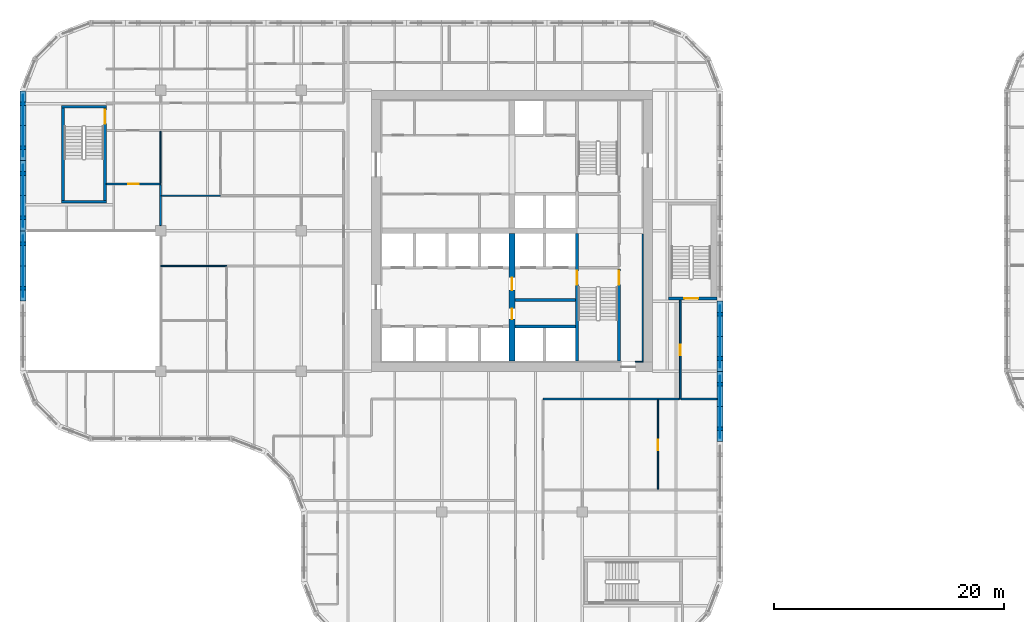
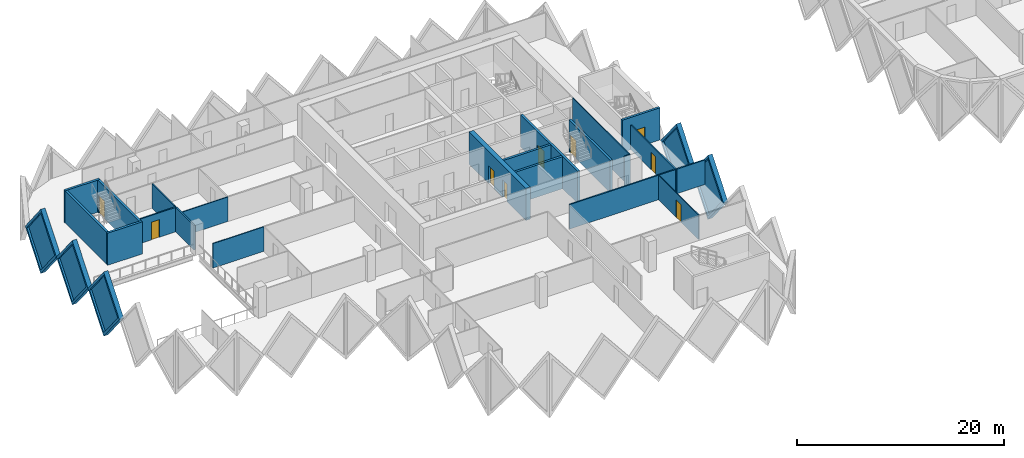
# One storey, part 7 of 21: 26 walls, 9 doors, 5 plates, 14 openings.
"""IFC4 building model written with IfcOpenShell, lengths in metres."""

from ifc_helpers import new_model, si_unit, direction, frame, frame_2d, origin, place, context, subcontext, project, spatial, polyline, rectangle, outline, extrude, faceted_brep, source, transform, mapped, material, layer, layer_set, type_object, element, fill, save


model = new_model("IFC4")

# Units and contexts
model_context = context("Model", 3, precision=1e-05, world=origin(), true_north=direction((0.0, 1.0)))
body_context = subcontext(model_context, "Body", "Model", "MODEL_VIEW")
ifc_project = project(units=[si_unit("LENGTHUNIT", "METRE"), si_unit("AREAUNIT", "SQUARE_METRE"), si_unit("VOLUMEUNIT", "CUBIC_METRE"), si_unit("PLANEANGLEUNIT", "RADIAN"), si_unit("MASSUNIT", "GRAM", prefix="KILO")], contexts=[model_context])

# Site, building, storey
site_placement = place(None, origin())
site = spatial("IfcSite", under=ifc_project, at=site_placement, CompositionType="ELEMENT")
building_placement = place(site_placement, origin())
building = spatial("IfcBuilding", under=site, at=building_placement, Name="Tessera Gate Towers", CompositionType="ELEMENT")
storey_placement = place(building_placement, frame((0.0, 0.0, 91.39990234375)))
storey = spatial("IfcBuildingStorey", under=building, at=storey_placement, Name="L22", CompositionType="ELEMENT", Elevation=91.39990234375)

# Wall, opening, door
ifc_material_1 = material(Name="Concrete C40/50", Category="concrete")
ifc_layer_1 = layer(ifc_material_1, 0.25)
ifc_layer_set_1 = layer_set([ifc_layer_1], Name="CORE ENCLOSURE WALL 250")
wall_type_1 = type_object("IfcWallType", Name="CORE ENCLOSURE WALL 250", PredefinedType="SOLIDWALL", material=ifc_layer_set_1)
wall_1_placement = place(storey_placement, frame((48.35009765625, 36.35009765625, 0.0), z_axis=(0.0, 0.0, 1.0), x_axis=(0.0, -1.0, 0.0)))
wall_1 = element("IfcWall", 1, at=wall_1_placement, inside=storey, type_object=wall_type_1, Name="L22 shaft and stair enclosure wall", PredefinedType="SOLIDWALL", context=body_context, shape_type="SweptSolid", body=[
    extrude(rectangle(XDim=11.050048828125, YDim=0.25, at=frame_2d((5.52490234375, 0.0))), origin(), (0.0, 0.0, 1.0), 3.800048828125),
])
shared_shape_1 = source(origin(), body_context, "Body", "SweptSolid", [
    extrude(rectangle(XDim=1.199951171875, YDim=2.10009765625, at=frame_2d((0.60009765625, 1.050048828125))), frame((0.0, 0.135009765625, 0.0), z_axis=(0.0, -1.0, 0.0), x_axis=(1.0, 0.0, 0.0)), (0.0, 0.0, 1.0), 0.27001953125),
])
opening_1_placement = place(wall_1_placement, frame((3.22509765625, 0.0, 0.0)))
opening_1 = element("IfcOpeningElement", 2, at=opening_1_placement, cuts=wall_1, Name="Opening SD-ST1-1", PredefinedType="OPENING", context=body_context, shape_type="MappedRepresentation", body=[
    mapped(shared_shape_1, transform((0.0, 0.0, 0.0), scale=1.0)),
])
ifc_material_2 = material(Name="Hollow steel fire door", Category="steel")
door_type_1 = type_object("IfcDoorType", Name="CORE DOOR SD 1200x2100", OperationType="NOTDEFINED", PredefinedType="DOOR", material=ifc_material_2)
shared_shape_2 = source(origin(), body_context, "Body", "SweptSolid", [
    extrude(rectangle(XDim=1.199951171875, YDim=2.10009765625, at=frame_2d((0.60009765625, 1.050048828125))), frame((0.0, 0.02490234375, 0.0), z_axis=(0.0, -1.0, 0.0), x_axis=(1.0, 0.0, 0.0)), (0.0, 0.0, 1.0), 0.050048828125),
])
door_1_placement = place(opening_1_placement, origin())
door_1 = element("IfcDoor", 3, at=door_1_placement, inside=storey, type_object=door_type_1, Name="Stair door", OperationType="SINGLE_SWING_LEFT", OverallHeight=2.10009765625, OverallWidth=1.199951171875, PredefinedType="DOOR", context=body_context, shape_type="MappedRepresentation", body=[
    mapped(shared_shape_2, transform((0.0, 0.0, 0.0), scale=1.0)),
])
fill(opening_1, door_1)

# Wall
wall_2_placement = place(storey_placement, frame((42.949951171875, 28.300048828125, 0.0), z_axis=(0.0, 0.0, 1.0), x_axis=(1.0, 0.0, 0.0)))
element("IfcWall", 4, at=wall_2_placement, inside=storey, type_object=wall_type_1, Name="L22 shaft and stair enclosure wall", PredefinedType="SOLIDWALL", context=body_context, shape_type="SweptSolid", body=[
    extrude(rectangle(XDim=5.275146484375, YDim=0.25, at=frame_2d((2.6376953125, 0.0))), origin(), (0.0, 0.0, 1.0), 3.800048828125),
])

# Wall, opening, door
wall_3_placement = place(storey_placement, frame((52.0, 25.300048828125, 0.0), z_axis=(0.0, 0.0, 1.0), x_axis=(0.0, 1.0, 0.0)))
wall_3 = element("IfcWall", 5, at=wall_3_placement, inside=storey, type_object=wall_type_1, Name="L22 shaft and stair enclosure wall", PredefinedType="SOLIDWALL", context=body_context, shape_type="SweptSolid", body=[
    extrude(rectangle(XDim=7.974853515625, YDim=0.25, at=frame_2d((3.9873046875, 0.0))), origin(), (0.0, 0.0, 1.0), 3.800048828125),
])
opening_2_placement = place(wall_3_placement, frame((6.625, 0.0, 0.0)))
opening_2 = element("IfcOpeningElement", 6, at=opening_2_placement, cuts=wall_3, Name="Opening SD-ST1-2", PredefinedType="OPENING", context=body_context, shape_type="MappedRepresentation", body=[
    mapped(shared_shape_1, transform((0.0, 0.0, 0.0), scale=1.0)),
])
door_2_placement = place(opening_2_placement, origin())
door_2 = element("IfcDoor", 7, at=door_2_placement, inside=storey, type_object=door_type_1, Name="Stair door", OperationType="SINGLE_SWING_RIGHT", OverallHeight=2.10009765625, OverallWidth=1.199951171875, PredefinedType="DOOR", context=body_context, shape_type="MappedRepresentation", body=[
    mapped(shared_shape_2, transform((0.0, 0.0, 0.0), scale=1.0)),
])
fill(opening_2, door_2)

# Walls
wall_4_placement = place(storey_placement, frame((42.949951171875, 30.60009765625, 0.0), z_axis=(0.0, 0.0, 1.0), x_axis=(1.0, 0.0, 0.0)))
element("IfcWall", 8, at=wall_4_placement, inside=storey, type_object=wall_type_1, Name="L22 shaft and stair enclosure wall", PredefinedType="SOLIDWALL", context=body_context, shape_type="SweptSolid", body=[
    extrude(rectangle(XDim=5.275146484375, YDim=0.25, at=frame_2d((2.6376953125, 0.0))), origin(), (0.0, 0.0, 1.0), 3.800048828125),
])
wall_5_placement = place(storey_placement, frame((7.5, 39.125, 0.0), z_axis=(0.0, 0.0, 1.0), x_axis=(-1.0, 0.0, 0.0)))
element("IfcWall", 9, at=wall_5_placement, inside=storey, type_object=wall_type_1, Name="L22 ST3 enclosure wall", PredefinedType="SOLIDWALL", context=body_context, shape_type="SweptSolid", body=[
    extrude(rectangle(XDim=3.89990234375, YDim=0.25, at=frame_2d((1.949951171875, 0.0))), origin(), (0.0, 0.0, 1.0), 3.800048828125),
])
wall_6_placement = place(storey_placement, frame((3.72509765625, 39.25, 0.0), z_axis=(0.0, 0.0, 1.0), x_axis=(0.0, 1.0, 0.0)))
element("IfcWall", 10, at=wall_6_placement, inside=storey, type_object=wall_type_1, Name="L22 ST3 enclosure wall", PredefinedType="SOLIDWALL", context=body_context, shape_type="SweptSolid", body=[
    extrude(rectangle(XDim=8.0, YDim=0.25, at=frame_2d((4.0, 0.0))), origin(), (0.0, 0.0, 1.0), 3.800048828125),
])
wall_7_placement = place(storey_placement, frame((3.60009765625, 47.375, 0.0), z_axis=(0.0, 0.0, 1.0), x_axis=(1.0, 0.0, 0.0)))
element("IfcWall", 11, at=wall_7_placement, inside=storey, type_object=wall_type_1, Name="L22 ST3 enclosure wall", PredefinedType="SOLIDWALL", context=body_context, shape_type="SweptSolid", body=[
    extrude(rectangle(XDim=3.89990234375, YDim=0.25, at=frame_2d((1.949951171875, 0.0))), origin(), (0.0, 0.0, 1.0), 3.800048828125),
])

# Wall, opening, door
wall_8_placement = place(storey_placement, frame((7.375, 47.25, 0.0), z_axis=(0.0, 0.0, 1.0), x_axis=(0.0, -1.0, 0.0)))
wall_8 = element("IfcWall", 12, at=wall_8_placement, inside=storey, type_object=wall_type_1, Name="L22 ST3 enclosure wall", PredefinedType="SOLIDWALL", context=body_context, shape_type="SweptSolid", body=[
    extrude(rectangle(XDim=8.0, YDim=0.25, at=frame_2d((4.0, 0.0))), origin(), (0.0, 0.0, 1.0), 3.800048828125),
])
opening_3_placement = place(wall_8_placement, frame((0.14990234375, 0.0, 0.0)))
opening_3 = element("IfcOpeningElement", 13, at=opening_3_placement, cuts=wall_8, Name="Opening SD-ST3-1", PredefinedType="OPENING", context=body_context, shape_type="MappedRepresentation", body=[
    mapped(shared_shape_1, transform((0.0, 0.0, 0.0), scale=1.0)),
])
door_3_placement = place(opening_3_placement, origin())
door_3 = element("IfcDoor", 14, at=door_3_placement, inside=storey, type_object=door_type_1, Name="Stair door", OperationType="SINGLE_SWING_LEFT", OverallHeight=2.10009765625, OverallWidth=1.199951171875, PredefinedType="DOOR", context=body_context, shape_type="MappedRepresentation", body=[
    mapped(shared_shape_2, transform((0.0, 0.0, 0.0), scale=1.0)),
])
fill(opening_3, door_3)

wall_9_placement = place(storey_placement, frame((60.5, 30.72509765625, 0.0), z_axis=(0.0, 0.0, 1.0), x_axis=(-1.0, 0.0, 0.0)))
wall_9 = element("IfcWall", 15, at=wall_9_placement, inside=storey, type_object=wall_type_1, Name="L22 ST5 enclosure wall", PredefinedType="SOLIDWALL", context=body_context, shape_type="SweptSolid", body=[
    extrude(rectangle(XDim=4.199951171875, YDim=0.25, at=frame_2d((2.10009765625, 0.0))), origin(), (0.0, 0.0, 1.0), 3.800048828125),
])
opening_4_placement = place(wall_9_placement, frame((1.64990234375, 0.0, 0.0)))
opening_4 = element("IfcOpeningElement", 16, at=opening_4_placement, cuts=wall_9, Name="Opening SD-ST5-1", PredefinedType="OPENING", context=body_context, shape_type="MappedRepresentation", body=[
    mapped(shared_shape_1, transform((0.0, 0.0, 0.0), scale=1.0)),
])
door_4_placement = place(opening_4_placement, origin())
door_4 = element("IfcDoor", 17, at=door_4_placement, inside=storey, type_object=door_type_1, Name="Stair door", OperationType="SINGLE_SWING_RIGHT", OverallHeight=2.10009765625, OverallWidth=1.199951171875, PredefinedType="DOOR", context=body_context, shape_type="MappedRepresentation", body=[
    mapped(shared_shape_2, transform((0.0, 0.0, 0.0), scale=1.0)),
])
fill(opening_4, door_4)

# Wall, openings, doors
ifc_material_3 = material(Name="Concrete C60/75", Category="concrete")
ifc_layer_2 = layer(ifc_material_3, 0.5)
ifc_layer_set_2 = layer_set([ifc_layer_2], Name="CORE SPINE WALL 500 C60/75")
wall_type_2 = type_object("IfcWallType", Name="CORE SPINE WALL 500 C60/75", PredefinedType="SHEAR", material=ifc_layer_set_2)
wall_10_placement = place(storey_placement, frame((42.699951171875, 36.35009765625, 0.0), z_axis=(0.0, 0.0, 1.0), x_axis=(0.0, -1.0, 0.0)))
wall_10 = element("IfcWall", 18, at=wall_10_placement, inside=storey, type_object=wall_type_2, Name="Core wall spine L22", PredefinedType="SHEAR", context=body_context, shape_type="SweptSolid", body=[
    extrude(rectangle(XDim=11.050048828125, YDim=0.5, at=frame_2d((5.52490234375, 0.0))), origin(), (0.0, 0.0, 1.0), 3.800048828125),
])
shared_shape_3 = source(origin(), body_context, "Body", "SweptSolid", [
    extrude(rectangle(XDim=0.89990234375, YDim=2.10009765625, at=frame_2d((0.449951171875, 1.050048828125))), frame((0.0, 0.260009765625, 0.0), z_axis=(0.0, -1.0, 0.0), x_axis=(1.0, 0.0, 0.0)), (0.0, 0.0, 1.0), 0.52001953125),
])
opening_5_placement = place(wall_10_placement, frame((6.5, 0.0, 0.0)))
opening_5 = element("IfcOpeningElement", 19, at=opening_5_placement, cuts=wall_10, Name="Opening RD-T1-15-05", PredefinedType="OPENING", context=body_context, shape_type="MappedRepresentation", body=[
    mapped(shared_shape_3, transform((0.0, 0.0, 0.0), scale=1.0)),
])
shared_shape_4 = source(origin(), body_context, "Body", "SweptSolid", [
    extrude(rectangle(XDim=1.10009765625, YDim=2.10009765625, at=frame_2d((0.550048828125, 1.050048828125))), frame((0.0, 0.260009765625, 0.0), z_axis=(0.0, -1.0, 0.0), x_axis=(1.0, 0.0, 0.0)), (0.0, 0.0, 1.0), 0.52001953125),
])
opening_6_placement = place(wall_10_placement, frame((3.800048828125, 0.0, 0.0)))
opening_6 = element("IfcOpeningElement", 20, at=opening_6_placement, cuts=wall_10, Name="Opening FD-T1-15-06", PredefinedType="OPENING", context=body_context, shape_type="MappedRepresentation", body=[
    mapped(shared_shape_4, transform((0.0, 0.0, 0.0), scale=1.0)),
])
ifc_material_4 = material(Name="Hollow steel fire door", Category="steel")
door_type_2 = type_object("IfcDoorType", Name="CORE DOOR RD 900x2100", OperationType="NOTDEFINED", PredefinedType="DOOR", material=ifc_material_4)
shared_shape_5 = source(origin(), body_context, "Body", "SweptSolid", [
    extrude(rectangle(XDim=0.89990234375, YDim=2.10009765625, at=frame_2d((0.449951171875, 1.050048828125))), frame((0.0, 0.02490234375, 0.0), z_axis=(0.0, -1.0, 0.0), x_axis=(1.0, 0.0, 0.0)), (0.0, 0.0, 1.0), 0.050048828125),
])
door_5_placement = place(opening_5_placement, origin())
door_5 = element("IfcDoor", 21, at=door_5_placement, inside=storey, type_object=door_type_2, Name="Core room door", OperationType="SINGLE_SWING_RIGHT", OverallHeight=2.10009765625, OverallWidth=0.89990234375, PredefinedType="DOOR", context=body_context, shape_type="MappedRepresentation", body=[
    mapped(shared_shape_5, transform((0.0, 0.0, 0.0), scale=1.0)),
])
fill(opening_5, door_5)
ifc_material_5 = material(Name="Hollow steel fire door", Category="steel")
door_type_3 = type_object("IfcDoorType", Name="CORE DOOR FD 1100x2100", OperationType="NOTDEFINED", PredefinedType="DOOR", material=ifc_material_5)
shared_shape_6 = source(origin(), body_context, "Body", "SweptSolid", [
    extrude(rectangle(XDim=1.10009765625, YDim=2.10009765625, at=frame_2d((0.550048828125, 1.050048828125))), frame((0.0, 0.02490234375, 0.0), z_axis=(0.0, -1.0, 0.0), x_axis=(1.0, 0.0, 0.0)), (0.0, 0.0, 1.0), 0.050048828125),
])
door_6_placement = place(opening_6_placement, origin())
door_6 = element("IfcDoor", 22, at=door_6_placement, inside=storey, type_object=door_type_3, Name="Fire-fighting lobby door", OperationType="SINGLE_SWING_LEFT", OverallHeight=2.10009765625, OverallWidth=1.10009765625, PredefinedType="DOOR", context=body_context, shape_type="MappedRepresentation", body=[
    mapped(shared_shape_6, transform((0.0, 0.0, 0.0), scale=1.0)),
])
fill(opening_6, door_6)

# Walls
ifc_material_6 = material(Name="Concrete C60/75", Category="concrete")
ifc_layer_3 = layer(ifc_material_6, 0.10009765625)
ifc_layer_set_3 = layer_set([ifc_layer_3], Name="CORE WALL THICKENING 100")
wall_type_3 = type_object("IfcWallType", Name="CORE WALL THICKENING 100", PredefinedType="SOLIDWALL", material=ifc_layer_set_3)
wall_11_placement = place(storey_placement, frame((53.39990234375, 25.25, 0.0), z_axis=(0.0, 0.0, 1.0), x_axis=(1.0, 0.0, 0.0)))
element("IfcWall", 23, at=wall_11_placement, inside=storey, type_object=wall_type_3, Name="Core wall thickening S L22", PredefinedType="SOLIDWALL", context=body_context, shape_type="SweptSolid", body=[
    extrude(rectangle(XDim=0.7001953125, YDim=0.10009765625, at=frame_2d((0.35009765625, 0.0))), origin(), (0.0, 0.0, 1.0), 3.800048828125),
])
wall_12_placement = place(storey_placement, frame((54.050048828125, 25.300048828125, 0.0), z_axis=(0.0, 0.0, 1.0), x_axis=(0.0, 1.0, 0.0)))
element("IfcWall", 24, at=wall_12_placement, inside=storey, type_object=wall_type_3, Name="Core wall thickening E L22", PredefinedType="SOLIDWALL", context=body_context, shape_type="SweptSolid", body=[
    extrude(rectangle(XDim=11.02001953125, YDim=0.10009765625, at=frame_2d((5.510009765625, 0.0))), origin(), (0.0, 0.0, 1.0), 3.800048828125),
])
ifc_material_7 = material(Name="Gypsum board on steel studs, mineral wool", Category="steel")
ifc_layer_4 = layer(ifc_material_7, 0.14990234375)
ifc_layer_set_4 = layer_set([ifc_layer_4], Name="CORRIDOR WALL 150")
wall_type_4 = type_object("IfcWallType", Name="CORRIDOR WALL 150", PredefinedType="PARTITIONING", material=ifc_layer_set_4)
wall_13_placement = place(storey_placement, frame((45.39990234375, 22.0, 0.0), z_axis=(0.0, 0.0, 1.0), x_axis=(1.0, 0.0, 0.0)))
element("IfcWall", 25, at=wall_13_placement, inside=storey, type_object=wall_type_4, Name="T1-L22-PW-023", PredefinedType="PARTITIONING", context=body_context, shape_type="SweptSolid", body=[
    extrude(rectangle(XDim=11.82421875, YDim=0.14990234375, at=frame_2d((5.912109375, 0.0))), origin(), (0.0, 0.0, 1.0), 2.89501953125),
])

# Wall, opening, door
wall_14_placement = place(storey_placement, frame((57.300048828125, 30.60009765625, 0.0), z_axis=(0.0, 0.0, 1.0), x_axis=(0.0, -1.0, 0.0)))
wall_14 = element("IfcWall", 26, at=wall_14_placement, inside=storey, type_object=wall_type_4, Name="T1-L22-PW-024", PredefinedType="PARTITIONING", context=body_context, shape_type="SweptSolid", body=[
    extrude(rectangle(XDim=8.60009765625, YDim=0.14990234375, at=frame_2d((4.300048828125, 0.0))), origin(), (0.0, 0.0, 1.0), 2.89501953125),
])
shared_shape_7 = source(origin(), body_context, "Body", "SweptSolid", [
    extrude(rectangle(XDim=0.89990234375, YDim=2.10009765625, at=frame_2d((0.449951171875, 1.050048828125))), frame((0.0, 0.0849609375, 0.0), z_axis=(0.0, -1.0, 0.0), x_axis=(1.0, 0.0, 0.0)), (0.0, 0.0, 1.0), 0.169921875),
])
opening_7_placement = place(wall_14_placement, frame((3.89990234375, 0.0, 0.0)))
opening_7 = element("IfcOpeningElement", 27, at=opening_7_placement, cuts=wall_14, Name="Opening D890FD60-A08-06", PredefinedType="OPENING", context=body_context, shape_type="MappedRepresentation", body=[
    mapped(shared_shape_7, transform((0.0, 0.0, 0.0), scale=1.0)),
])
ifc_material_8 = material(Name="Timber door leaf in steel frame", Category="steel")
door_type_4 = type_object("IfcDoorType", Name="CORRIDOR DOOR 900 FD60", OperationType="NOTDEFINED", PredefinedType="DOOR", material=ifc_material_8)
door_7_placement = place(opening_7_placement, origin())
door_7 = element("IfcDoor", 28, at=door_7_placement, inside=storey, type_object=door_type_4, Name="T1-L22-PD-021", OperationType="SINGLE_SWING_RIGHT", OverallHeight=2.10009765625, OverallWidth=0.89990234375, PredefinedType="DOOR", context=body_context, shape_type="MappedRepresentation", body=[
    mapped(shared_shape_5, transform((0.0, 0.0, 0.0), scale=1.0)),
])
fill(opening_7, door_7)

ifc_material_9 = material(Name="Glass", Category="glass")
ifc_layer_5 = layer(ifc_material_9, 0.10009765625)
ifc_layer_set_5 = layer_set([ifc_layer_5], Name="GLAZED PARTITION 100")
wall_type_5 = type_object("IfcWallType", Name="GLAZED PARTITION 100", PredefinedType="PARTITIONING", material=ifc_layer_set_5)
wall_15_placement = place(storey_placement, frame((55.364990234375, 21.924072265625, 0.0), z_axis=(0.0, 0.0, 1.0), x_axis=(0.0, -1.0, 0.0)))
wall_15 = element("IfcWall", 29, at=wall_15_placement, inside=storey, type_object=wall_type_5, Name="T1-L22-PW-014", PredefinedType="PARTITIONING", context=body_context, shape_type="SweptSolid", body=[
    extrude(rectangle(XDim=7.748046875, YDim=0.10009765625, at=frame_2d((3.8740234375, 0.0))), origin(), (0.0, 0.0, 1.0), 2.89501953125),
])
shared_shape_8 = source(origin(), body_context, "Body", "SweptSolid", [
    extrude(rectangle(XDim=0.89990234375, YDim=2.10009765625, at=frame_2d((0.449951171875, 1.050048828125))), frame((0.0, 0.06005859375, 0.0), z_axis=(0.0, -1.0, 0.0), x_axis=(1.0, 0.0, 0.0)), (0.0, 0.0, 1.0), 0.1201171875),
])
opening_8_placement = place(wall_15_placement, frame((3.447998046875, 0.0, 0.0)))
opening_8 = element("IfcOpeningElement", 30, at=opening_8_placement, cuts=wall_15, Name="Opening D690-A08-10", PredefinedType="OPENING", context=body_context, shape_type="MappedRepresentation", body=[
    mapped(shared_shape_8, transform((0.0, 0.0, 0.0), scale=1.0)),
])
ifc_material_10 = material(Name="Glass in aluminium frame", Category="aluminium")
door_type_5 = type_object("IfcDoorType", Name="GLAZED DOOR 900 NOT RATED", OperationType="NOTDEFINED", PredefinedType="DOOR", material=ifc_material_10)
door_8_placement = place(opening_8_placement, origin())
door_8 = element("IfcDoor", 31, at=door_8_placement, inside=storey, type_object=door_type_5, Name="T1-L22-PD-018", OperationType="SINGLE_SWING_RIGHT", OverallHeight=2.10009765625, OverallWidth=0.89990234375, PredefinedType="DOOR", context=body_context, shape_type="MappedRepresentation", body=[
    mapped(shared_shape_5, transform((0.0, 0.0, 0.0), scale=1.0)),
])
fill(opening_8, door_8)

# Walls
wall_16_placement = place(storey_placement, frame((12.199951171875, 33.550048828125, 0.0), z_axis=(0.0, 0.0, 1.0), x_axis=(1.0, 0.0, 0.0)))
element("IfcWall", 32, at=wall_16_placement, inside=storey, type_object=wall_type_5, Name="T1-L22-PW-032", PredefinedType="PARTITIONING", context=body_context, shape_type="SweptSolid", body=[
    extrude(rectangle(XDim=5.72412109375, YDim=0.10009765625, at=frame_2d((2.862060546875, 0.0))), origin(), (0.0, 0.0, 1.0), 2.89501953125),
])
wall_17_placement = place(storey_placement, frame((12.27587890625, 39.64990234375, 0.0), z_axis=(0.0, 0.0, 1.0), x_axis=(1.0, 0.0, 0.0)))
element("IfcWall", 33, at=wall_17_placement, inside=storey, type_object=wall_type_5, Name="T1-L22-PW-036", PredefinedType="PARTITIONING", context=body_context, shape_type="SweptSolid", body=[
    extrude(rectangle(XDim=5.123046875, YDim=0.10009765625, at=frame_2d((2.5615234375, 0.0))), origin(), (0.0, 0.0, 1.0), 2.89501953125),
])
wall_18_placement = place(storey_placement, frame((12.199951171875, 40.7509765625, 0.0), z_axis=(0.0, 0.0, 1.0), x_axis=(0.0, 1.0, 0.0)))
element("IfcWall", 34, at=wall_18_placement, inside=storey, type_object=wall_type_5, Name="T1-L22-PW-040", PredefinedType="PARTITIONING", context=body_context, shape_type="SweptSolid", body=[
    extrude(rectangle(XDim=4.47314453125, YDim=0.10009765625, at=frame_2d((2.236572265625, 0.0))), origin(), (0.0, 0.0, 1.0), 2.89501953125),
])
ifc_material_11 = material(Name="Gypsum board on steel studs, mineral wool", Category="steel")
ifc_layer_6 = layer(ifc_material_11, 0.14990234375)
ifc_layer_set_6 = layer_set([ifc_layer_6], Name="TENANCY WALL 150")
wall_type_6 = type_object("IfcWallType", Name="TENANCY WALL 150", PredefinedType="PARTITIONING", material=ifc_layer_set_6)
wall_19_placement = place(storey_placement, frame((57.3759765625, 22.0, 0.0), z_axis=(0.0, 0.0, 1.0), x_axis=(1.0, 0.0, 0.0)))
element("IfcWall", 35, at=wall_19_placement, inside=storey, type_object=wall_type_6, Name="T1-L22-PW-025", PredefinedType="PARTITIONING", context=body_context, shape_type="SweptSolid", body=[
    extrude(rectangle(XDim=3.1240234375, YDim=0.14990234375, at=frame_2d((1.56201171875, 0.0))), origin(), (0.0, 0.0, 1.0), 2.89501953125),
])
wall_20_placement = place(storey_placement, frame((12.199951171875, 37.051025390625, 0.0), z_axis=(0.0, 0.0, 1.0), x_axis=(0.0, 1.0, 0.0)))
element("IfcWall", 36, at=wall_20_placement, inside=storey, type_object=wall_type_6, Name="T1-L22-PW-034", PredefinedType="PARTITIONING", context=body_context, shape_type="SweptSolid", body=[
    extrude(rectangle(XDim=3.548095703125, YDim=0.14990234375, at=frame_2d((1.77392578125, 0.0))), origin(), (0.0, 0.0, 1.0), 2.89501953125),
])

# Wall, opening, door
wall_21_placement = place(storey_placement, frame((12.199951171875, 40.675048828125, 0.0), z_axis=(0.0, 0.0, 1.0), x_axis=(-1.0, 0.0, 0.0)))
wall_21 = element("IfcWall", 37, at=wall_21_placement, inside=storey, type_object=wall_type_6, Name="T1-L22-PW-039", PredefinedType="PARTITIONING", context=body_context, shape_type="SweptSolid", body=[
    extrude(rectangle(XDim=4.699951171875, YDim=0.14990234375, at=frame_2d((2.35009765625, 0.0))), origin(), (0.0, 0.0, 1.0), 2.89501953125),
])
opening_9_placement = place(wall_21_placement, frame((1.89990234375, 0.0, 0.0)))
opening_9 = element("IfcOpeningElement", 38, at=opening_9_placement, cuts=wall_21, Name="Opening D190-A08-03", PredefinedType="OPENING", context=body_context, shape_type="MappedRepresentation", body=[
    mapped(shared_shape_7, transform((0.0, 0.0, 0.0), scale=1.0)),
])
ifc_material_12 = material(Name="Timber door leaf in steel frame", Category="steel")
door_type_6 = type_object("IfcDoorType", Name="INTERNAL DOOR 900 NOT RATED", OperationType="NOTDEFINED", PredefinedType="DOOR", material=ifc_material_12)
door_9_placement = place(opening_9_placement, origin())
door_9 = element("IfcDoor", 39, at=door_9_placement, inside=storey, type_object=door_type_6, Name="T1-L22-PD-008", OperationType="SINGLE_SWING_RIGHT", OverallHeight=2.10009765625, OverallWidth=0.89990234375, PredefinedType="DOOR", context=body_context, shape_type="MappedRepresentation", body=[
    mapped(shared_shape_5, transform((0.0, 0.0, 0.0), scale=1.0)),
])
fill(opening_9, door_9)

# Wall, opening, plate
ifc_material_13 = material(Name="Precast concrete C60/75 white", Category="concrete")
ifc_layer_7 = layer(ifc_material_13, 0.5)
ifc_layer_set_7 = layer_set([ifc_layer_7], Name="TS1 tessera")
wall_type_7 = type_object("IfcWallType", Name="TS1 tessera", PredefinedType="SOLIDWALL", material=ifc_layer_set_7)
shared_shape_9 = source(origin(), body_context, "Body", "Brep", [
    faceted_brep([(3.050048828125, -0.25, 0.0), (6.099853515625, -0.25, 3.799560546875), (6.099853515625, -0.25, 3.800048828125), (3.050048828125, -0.25, 7.599853515625), (0.0, -0.25, 3.7998046875), (0.0, 0.25, 3.7998046875), (3.050048828125, 0.25, 7.599853515625), (6.099853515625, 0.25, 3.800048828125), (6.099853515625, 0.25, 3.799560546875), (3.050048828125, 0.25, 0.0)], [[[0, 1, 2, 3, 4]], [[5, 6, 7, 8, 9]], [[9, 8, 1, 0]], [[7, 6, 3, 2]], [[6, 5, 4, 3]], [[5, 9, 0, 4]], [[1, 8, 7, 2]]]),
])
wall_22_placement = place(storey_placement, frame((60.75, 18.300048828125, -3.7998046875), z_axis=(0.0, 0.0, 1.0), x_axis=(0.0, 1.0, 0.0)))
wall_22 = element("IfcWall", 40, at=wall_22_placement, inside=storey, type_object=wall_type_7, Name="Precast tessera T1 TS1-0350", PredefinedType="SOLIDWALL", context=body_context, shape_type="MappedRepresentation", body=[
    mapped(shared_shape_9, transform((0.0, 0.0, 0.0), scale=1.0)),
])
shared_shape_10 = source(origin(), body_context, "Body", "SweptSolid", [
    extrude(outline(polyline([(3.050048828125, 0.3994140625), (5.779541015625, 3.7998046875), (3.050048828125, 7.200439453125), (0.320556640625, 3.7998046875), (3.050048828125, 0.3994140625)])), frame((0.0, 0.260009765625, 0.0), z_axis=(0.0, -1.0, 0.0), x_axis=(1.0, 0.0, 0.0)), (0.0, 0.0, 1.0), 0.52001953125),
])
opening_10_placement = place(wall_22_placement, origin())
opening_10 = element("IfcOpeningElement", 41, at=opening_10_placement, cuts=wall_22, Name="Opening T1-PL2-0716", PredefinedType="OPENING", context=body_context, shape_type="MappedRepresentation", body=[
    mapped(shared_shape_10, transform((0.0, 0.0, 0.0), scale=1.0)),
])
ifc_material_14 = material(Name="Low-e laminated glass", Category="glass")
ifc_layer_8 = layer(ifc_material_14, 0.06005859375)
ifc_layer_set_8 = layer_set([ifc_layer_8], Name="PL2 rhombic pane")
plate_type = type_object("IfcPlateType", Name="PL2 rhombic pane", PredefinedType="SHEET", material=ifc_layer_set_8)
shared_shape_11 = source(origin(), body_context, "Body", "SweptSolid", [
    extrude(outline(polyline([(3.050048828125, 0.3994140625), (5.779541015625, 3.7998046875), (3.050048828125, 7.200439453125), (0.320556640625, 3.7998046875), (3.050048828125, 0.3994140625)])), frame((0.0, 0.030029296875, 0.0), z_axis=(0.0, -1.0, 0.0), x_axis=(1.0, 0.0, 0.0)), (0.0, 0.0, 1.0), 0.06005859375),
])
plate_1_placement = place(opening_10_placement, origin())
plate_1 = element("IfcPlate", 42, at=plate_1_placement, inside=storey, type_object=plate_type, Name="Glass pane T1 PL2-0716", PredefinedType="SHEET", context=body_context, shape_type="MappedRepresentation", body=[
    mapped(shared_shape_11, transform((0.0, 0.0, 0.0), scale=1.0)),
])
fill(opening_10, plate_1)

wall_23_placement = place(storey_placement, frame((0.25, 42.699951171875, -3.7998046875), z_axis=(0.0, 0.0, 1.0), x_axis=(0.0, -1.0, 0.0)))
wall_23 = element("IfcWall", 43, at=wall_23_placement, inside=storey, type_object=wall_type_7, Name="Precast tessera T1 TS1-0363", PredefinedType="SOLIDWALL", context=body_context, shape_type="MappedRepresentation", body=[
    mapped(shared_shape_9, transform((0.0, 0.0, 0.0), scale=1.0)),
])
opening_11_placement = place(wall_23_placement, origin())
opening_11 = element("IfcOpeningElement", 44, at=opening_11_placement, cuts=wall_23, Name="Opening T1-PL2-0737", PredefinedType="OPENING", context=body_context, shape_type="MappedRepresentation", body=[
    mapped(shared_shape_10, transform((0.0, 0.0, 0.0), scale=1.0)),
])
plate_2_placement = place(opening_11_placement, origin())
plate_2 = element("IfcPlate", 45, at=plate_2_placement, inside=storey, type_object=plate_type, Name="Glass pane T1 PL2-0737", PredefinedType="SHEET", context=body_context, shape_type="MappedRepresentation", body=[
    mapped(shared_shape_11, transform((0.0, 0.0, 0.0), scale=1.0)),
])
fill(opening_11, plate_2)

shared_shape_12 = source(origin(), body_context, "Body", "SweptSolid", [
    extrude(outline(polyline([(3.050048828125, 0.0), (6.10009765625, 3.7998046875), (3.050048828125, 7.599853515625), (0.0, 3.7998046875), (3.050048828125, 0.0)])), frame((0.0, 0.25, 0.0), z_axis=(0.0, -1.0, 0.0), x_axis=(1.0, 0.0, 0.0)), (0.0, 0.0, 1.0), 0.5),
])
wall_24_placement = place(storey_placement, frame((60.75, 24.39990234375, -3.7998046875), z_axis=(0.0, 0.0, 1.0), x_axis=(0.0, 1.0, 0.0)))
wall_24 = element("IfcWall", 46, at=wall_24_placement, inside=storey, type_object=wall_type_7, Name="Precast tessera T1 TS1-0351", PredefinedType="SOLIDWALL", context=body_context, shape_type="MappedRepresentation", body=[
    mapped(shared_shape_12, transform((0.0, 0.0, 0.0), scale=1.0)),
])
opening_12_placement = place(wall_24_placement, origin())
opening_12 = element("IfcOpeningElement", 47, at=opening_12_placement, cuts=wall_24, Name="Opening T1-PL2-0717", PredefinedType="OPENING", context=body_context, shape_type="MappedRepresentation", body=[
    mapped(shared_shape_10, transform((0.0, 0.0, 0.0), scale=1.0)),
])
plate_3_placement = place(opening_12_placement, origin())
plate_3 = element("IfcPlate", 48, at=plate_3_placement, inside=storey, type_object=plate_type, Name="Glass pane T1 PL2-0717", PredefinedType="SHEET", context=body_context, shape_type="MappedRepresentation", body=[
    mapped(shared_shape_11, transform((0.0, 0.0, 0.0), scale=1.0)),
])
fill(opening_12, plate_3)

wall_25_placement = place(storey_placement, frame((0.25, 36.60009765625, -3.7998046875), z_axis=(0.0, 0.0, 1.0), x_axis=(0.0, -1.0, 0.0)))
wall_25 = element("IfcWall", 49, at=wall_25_placement, inside=storey, type_object=wall_type_7, Name="Precast tessera T1 TS1-0364", PredefinedType="SOLIDWALL", context=body_context, shape_type="MappedRepresentation", body=[
    mapped(shared_shape_12, transform((0.0, 0.0, 0.0), scale=1.0)),
])
opening_13_placement = place(wall_25_placement, origin())
opening_13 = element("IfcOpeningElement", 50, at=opening_13_placement, cuts=wall_25, Name="Opening T1-PL2-0738", PredefinedType="OPENING", context=body_context, shape_type="MappedRepresentation", body=[
    mapped(shared_shape_10, transform((0.0, 0.0, 0.0), scale=1.0)),
])
plate_4_placement = place(opening_13_placement, origin())
plate_4 = element("IfcPlate", 51, at=plate_4_placement, inside=storey, type_object=plate_type, Name="Glass pane T1 PL2-0738", PredefinedType="SHEET", context=body_context, shape_type="MappedRepresentation", body=[
    mapped(shared_shape_11, transform((0.0, 0.0, 0.0), scale=1.0)),
])
fill(opening_13, plate_4)

shared_shape_13 = source(origin(), body_context, "Body", "Brep", [
    faceted_brep([(3.00341796875, -0.25, 0.0), (6.053466796875, -0.25, 3.7998046875), (3.00341796875, -0.25, 7.599853515625), (0.0, -0.25, 3.7998046875), (0.046630859375, 0.25, 3.858642578125), (3.00341796875, 0.25, 7.599853515625), (6.053466796875, 0.25, 3.7998046875), (3.00341796875, 0.25, 0.0), (0.046630859375, 0.25, 3.740966796875), (0.0, 0.0, 3.7998046875)], [[[0, 1, 2, 3]], [[4, 5, 6, 7, 8]], [[7, 6, 1, 0]], [[6, 5, 2, 1]], [[5, 4, 9, 3, 2]], [[8, 7, 0, 3, 9]], [[8, 9, 4]]]),
])
wall_26_placement = place(storey_placement, frame((0.25, 48.75341796875, -3.7998046875), z_axis=(0.0, 0.0, 1.0), x_axis=(0.0, -1.0, 0.0)))
wall_26 = element("IfcWall", 52, at=wall_26_placement, inside=storey, type_object=wall_type_7, Name="Precast tessera T1 TS1-0362", PredefinedType="SOLIDWALL", context=body_context, shape_type="MappedRepresentation", body=[
    mapped(shared_shape_13, transform((0.0, 0.0, 0.0), scale=1.0)),
])
shared_shape_14 = source(origin(), body_context, "Body", "SweptSolid", [
    extrude(outline(polyline([(3.0048828125, 0.401123046875), (5.73291015625, 3.7998046875), (3.0048828125, 7.19873046875), (0.318603515625, 3.7998046875), (3.0048828125, 0.401123046875)])), frame((0.0, 0.260009765625, 0.0), z_axis=(0.0, -1.0, 0.0), x_axis=(1.0, 0.0, 0.0)), (0.0, 0.0, 1.0), 0.52001953125),
])
opening_14_placement = place(wall_26_placement, origin())
opening_14 = element("IfcOpeningElement", 53, at=opening_14_placement, cuts=wall_26, Name="Opening T1-PL2-0736", PredefinedType="OPENING", context=body_context, shape_type="MappedRepresentation", body=[
    mapped(shared_shape_14, transform((0.0, 0.0, 0.0), scale=1.0)),
])
shared_shape_15 = source(origin(), body_context, "Body", "SweptSolid", [
    extrude(outline(polyline([(3.0048828125, 0.401123046875), (5.73291015625, 3.7998046875), (3.0048828125, 7.19873046875), (0.318603515625, 3.7998046875), (3.0048828125, 0.401123046875)])), frame((0.0, 0.030029296875, 0.0), z_axis=(0.0, -1.0, 0.0), x_axis=(1.0, 0.0, 0.0)), (0.0, 0.0, 1.0), 0.06005859375),
])
plate_5_placement = place(opening_14_placement, origin())
plate_5 = element("IfcPlate", 54, at=plate_5_placement, inside=storey, type_object=plate_type, Name="Glass pane T1 PL2-0736", PredefinedType="SHEET", context=body_context, shape_type="MappedRepresentation", body=[
    mapped(shared_shape_15, transform((0.0, 0.0, 0.0), scale=1.0)),
])
fill(opening_14, plate_5)

save(model, "model.ifc")
